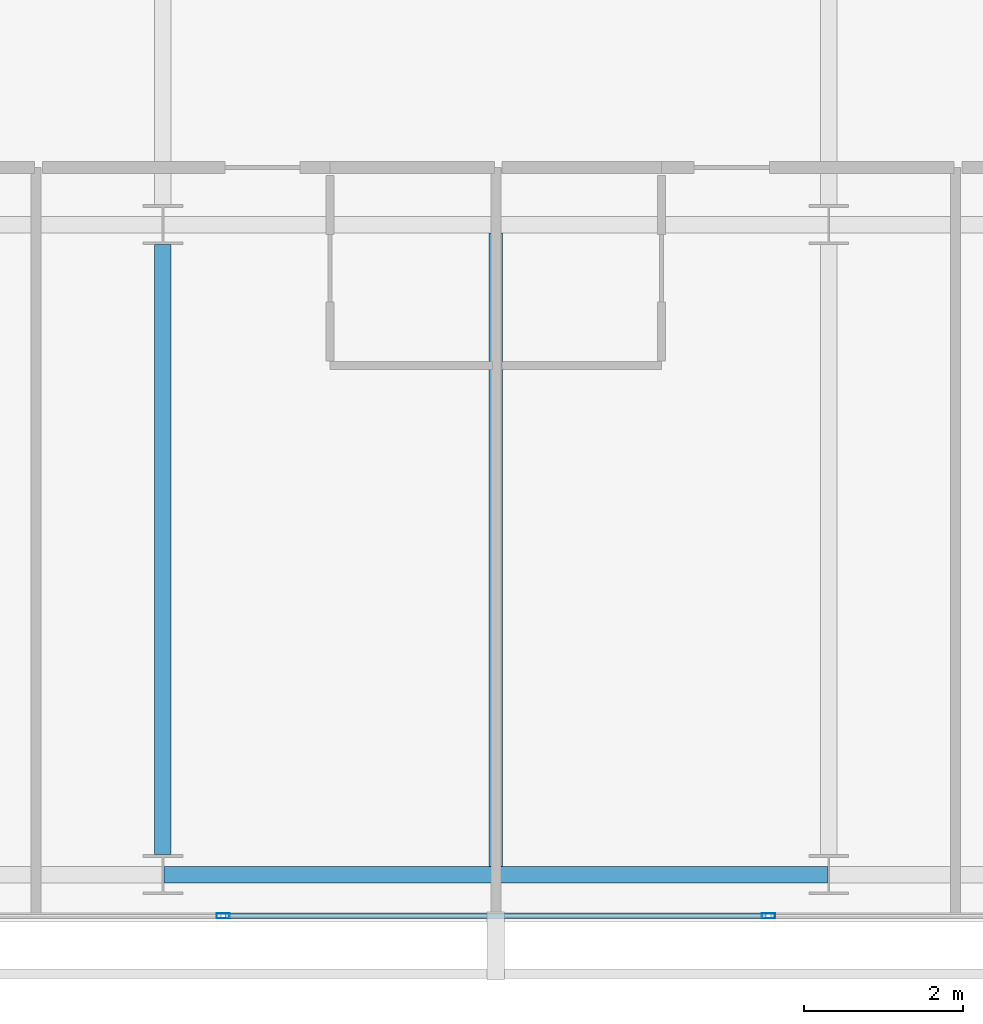
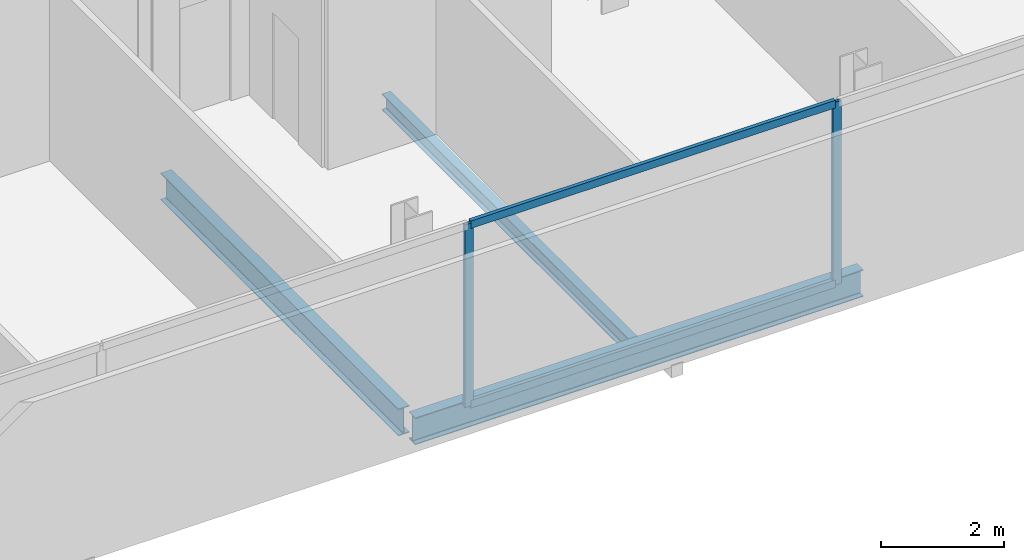
# One storey, part 6 of 26: 4 members, 3 beams, 1 element without a shape of its own.
"""IFC4 building model written with IfcOpenShell, lengths in metres."""

from ifc_helpers import new_model, si_unit, direction, frame, origin, origin_2d, place, context, subcontext, project, spatial, hollow_rectangle, i_section, extrude, material, layer, layer_set, material_profile, profile_set, type_object, element, aggregate, save


model = new_model("IFC4")

# Units and contexts
model_context = context("Model", 3, precision=1e-05, world=origin(), true_north=direction((0.0, 1.0)))
body_context = subcontext(model_context, "Body", "Model", "MODEL_VIEW")
ifc_project = project(units=[si_unit("LENGTHUNIT", "METRE"), si_unit("AREAUNIT", "SQUARE_METRE"), si_unit("VOLUMEUNIT", "CUBIC_METRE"), si_unit("PLANEANGLEUNIT", "RADIAN"), si_unit("MASSUNIT", "GRAM", prefix="KILO")], contexts=[model_context])

# Site, building, storey
site_placement = place(None, origin())
site = spatial("IfcSite", under=ifc_project, at=site_placement, CompositionType="ELEMENT")
building_placement = place(site_placement, origin())
building = spatial("IfcBuilding", under=site, at=building_placement, Name="Maruvema Waterfront Hotel and Observation Tower", CompositionType="ELEMENT")
storey_placement = place(building_placement, frame((0.0, 0.0, 243.25)))
storey = spatial("IfcBuildingStorey", under=building, at=storey_placement, Name="L59", CompositionType="ELEMENT", Elevation=243.25)

# Curtain wall, members
ifc_material_1 = material(Name="Anodised bronze aluminium and solar-control low-E IGU", Category="aluminium")
ifc_layer = layer(ifc_material_1, 0.159912109375, Name="Zone 3 Champagne Inner Thermal Curtain Wall System CW-04")
ifc_layer_set = layer_set([ifc_layer], Name="Anodised bronze aluminium and solar-control low-E IGU")
curtain_wall_type = type_object("IfcCurtainWallType", Name="Zone 3 Champagne Inner Thermal Curtain Wall System CW-04", PredefinedType="USERDEFINED", material=ifc_layer_set)
curtain_wall_placement = place(storey_placement, origin())
curtain_wall = element("IfcCurtainWall", 1, at=curtain_wall_placement, inside=storey, type_object=curtain_wall_type, Name="L59 Curtain Wall CW-L59-S", ObjectType="UNITISED CURTAIN WALL", PredefinedType="USERDEFINED")
ifc_material_2 = material(Name="Anodised architectural bronze aluminium", Category="aluminium")
ifc_material_profile_1 = material_profile(ifc_material_2, hollow_rectangle(XDim=0.070068359375, YDim=0.14990234375, WallThickness=0.00390625, at=origin_2d()), Name="ALU-T70x150")
ifc_profile_set_1 = profile_set([ifc_material_profile_1], Name="Anodised architectural bronze aluminium")
member_type_1 = type_object("IfcMemberType", Name="Curtain Wall Horizontal Transom ALU-T70x150", PredefinedType="USERDEFINED", material=ifc_profile_set_1)
member_1_placement = place(storey_placement, frame((34.389892578125, 9.280029296875, 0.030029296875), z_axis=(1.0, 0.0, 0.0), x_axis=(0.0, 1.0, 0.0)))
member_1 = element("IfcMember", 2, at=member_1_placement, type_object=member_type_1, Name="CW-04 transom 3.1", ObjectType="TRANSOM", PredefinedType="USERDEFINED", context=body_context, shape_type="SweptSolid", body=[
    extrude(hollow_rectangle(XDim=0.070068359375, YDim=0.14990234375, WallThickness=0.00390625, at=origin_2d()), origin(), (0.0, 0.0, 1.0), 6.820068359375),
])
member_2_placement = place(storey_placement, frame((34.389892578125, 9.280029296875, 3.580078125), z_axis=(1.0, 0.0, 0.0), x_axis=(0.0, 1.0, 0.0)))
member_2 = element("IfcMember", 3, at=member_2_placement, type_object=member_type_1, Name="CW-04 transom 3.2", ObjectType="TRANSOM", PredefinedType="USERDEFINED", context=body_context, shape_type="SweptSolid", body=[
    extrude(hollow_rectangle(XDim=0.070068359375, YDim=0.14990234375, WallThickness=0.00390625, at=origin_2d()), origin(), (0.0, 0.0, 1.0), 6.820068359375),
])
ifc_material_3 = material(Name="Anodised architectural bronze aluminium", Category="aluminium")
ifc_material_profile_2 = material_profile(ifc_material_3, hollow_rectangle(XDim=0.06494140625, YDim=0.1650390625, WallThickness=0.00390625, at=origin_2d()), Name="ALU-M65x165")
ifc_profile_set_2 = profile_set([ifc_material_profile_2], Name="Anodised architectural bronze aluminium")
member_type_2 = type_object("IfcMemberType", Name="Curtain Wall Primary Mullion ALU-M65x165", PredefinedType="MULLION", material=ifc_profile_set_2)
member_3_placement = place(storey_placement, frame((34.360107421875, 9.280029296875, 0.0), z_axis=(0.0, 0.0, 1.0), x_axis=(0.0, 1.0, 0.0)))
member_3 = element("IfcMember", 4, at=member_3_placement, type_object=member_type_2, Name="CW-04 mullion 3", PredefinedType="MULLION", context=body_context, shape_type="SweptSolid", body=[
    extrude(hollow_rectangle(XDim=0.06494140625, YDim=0.1650390625, WallThickness=0.00390625, at=origin_2d()), origin(), (0.0, 0.0, 1.0), 3.610107421875),
])
member_4_placement = place(storey_placement, frame((41.239990234375, 9.280029296875, 0.0), z_axis=(0.0, 0.0, 1.0), x_axis=(0.0, 1.0, 0.0)))
member_4 = element("IfcMember", 5, at=member_4_placement, type_object=member_type_2, Name="CW-04 mullion 4", PredefinedType="MULLION", context=body_context, shape_type="SweptSolid", body=[
    extrude(hollow_rectangle(XDim=0.06494140625, YDim=0.1650390625, WallThickness=0.00390625, at=origin_2d()), origin(), (0.0, 0.0, 1.0), 3.610107421875),
])
aggregate(curtain_wall, [member_3, member_4, member_1, member_2])

# Beams
ifc_material_4 = material(Name="Steel ASTM A572 Grade 50", Category="steel")
ifc_material_profile_3 = material_profile(ifc_material_4, i_section(OverallWidth=0.208984375, OverallDepth=0.532958984375, WebThickness=0.01025390625, FlangeThickness=0.015625, FilletRadius=0.014892578125, at=origin_2d()), Name="W530x92.0")
ifc_profile_set_3 = profile_set([ifc_material_profile_3], Name="Steel ASTM A572 Grade 50")
beam_type_1 = type_object("IfcBeamType", Name="Primary Floor Girder W530x92.0", PredefinedType="BEAM", material=ifc_profile_set_3)
beam_1_placement = place(storey_placement, frame((33.611083984375, 9.800048828125, -0.506591796875), z_axis=(1.0, 0.0, 0.0), x_axis=(0.0, 1.0, 0.0)))
element("IfcBeam", 6, at=beam_1_placement, inside=storey, type_object=beam_type_1, Name="L59 Floor Girder EW-02", PredefinedType="BEAM", context=body_context, shape_type="SweptSolid", body=[
    extrude(i_section(OverallWidth=0.208984375, OverallDepth=0.532958984375, WebThickness=0.01025390625, FlangeThickness=0.015625, FilletRadius=0.014892578125, at=origin_2d()), origin(), (0.0, 0.0, 1.0), 8.3779296875),
])
beam_2_placement = place(storey_placement, frame((33.60009765625, 10.050048828125, -0.506591796875), z_axis=(0.0, 1.0, 0.0), x_axis=(-1.0, 0.0, 0.0)))
element("IfcBeam", 7, at=beam_2_placement, inside=storey, type_object=beam_type_1, Name="L59 Floor Girder NS-08", PredefinedType="BEAM", context=body_context, shape_type="SweptSolid", body=[
    extrude(i_section(OverallWidth=0.208984375, OverallDepth=0.532958984375, WebThickness=0.01025390625, FlangeThickness=0.015625, FilletRadius=0.014892578125, at=origin_2d()), origin(), (0.0, 0.0, 1.0), 7.699951171875),
])
ifc_material_5 = material(Name="Steel ASTM A572 Grade 50", Category="steel")
ifc_material_profile_4 = material_profile(ifc_material_5, i_section(OverallWidth=0.1669921875, OverallDepth=0.31689453125, WebThickness=0.007568359375, FlangeThickness=0.01318359375, FilletRadius=0.012939453125, at=origin_2d()), Name="W310x52.0")
ifc_profile_set_4 = profile_set([ifc_material_profile_4], Name="Steel ASTM A572 Grade 50")
beam_type_2 = type_object("IfcBeamType", Name="Secondary Floor Joist W310x52.0", PredefinedType="JOIST", material=ifc_profile_set_4)
beam_3_placement = place(storey_placement, frame((37.800048828125, 9.904541015625, -0.3984375), z_axis=(0.0, 1.0, 0.0), x_axis=(-1.0, 0.0, 0.0)))
element("IfcBeam", 8, at=beam_3_placement, inside=storey, type_object=beam_type_2, Name="L59 Secondary Floor Joist JS-05", PredefinedType="JOIST", context=body_context, shape_type="SweptSolid", body=[
    extrude(i_section(OverallWidth=0.1669921875, OverallDepth=0.31689453125, WebThickness=0.007568359375, FlangeThickness=0.01318359375, FilletRadius=0.012939453125, at=origin_2d()), origin(), (0.0, 0.0, 1.0), 7.990966796875),
])

save(model, "model.ifc")
